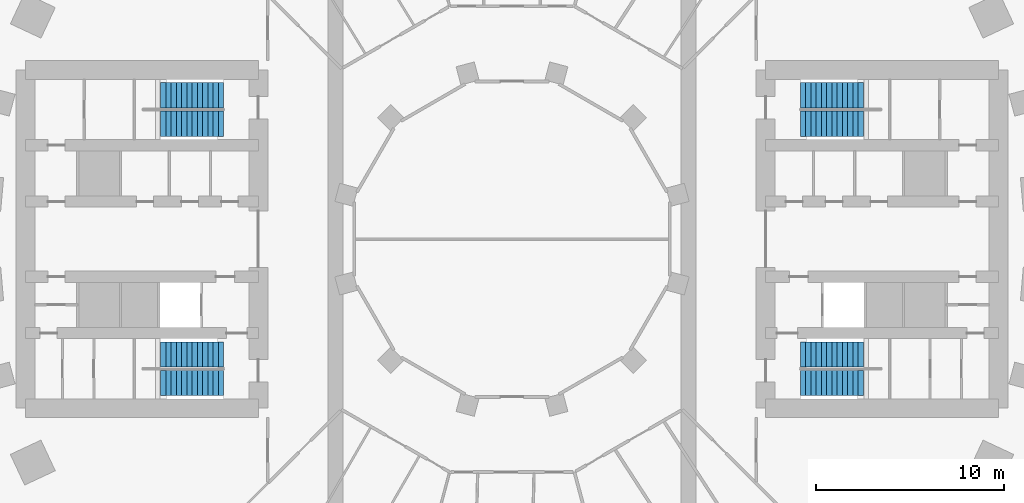
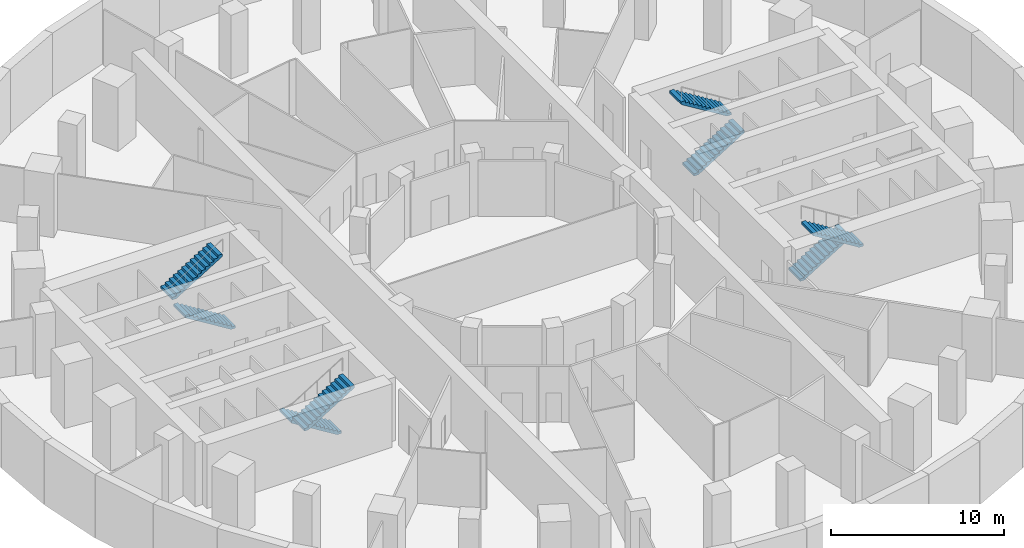
# One storey, part 7 of 8: 8 stair flights, 4 elements without a shape of their own.
"""IFC4 building model written with IfcOpenShell, lengths in metres."""

from ifc_helpers import new_model, si_unit, direction, frame, origin, place, context, subcontext, project, spatial, polyline, outline, extrude, material, type_object, element, aggregate, save


model = new_model("IFC4")

# Units and contexts
model_context = context("Model", 3, precision=1e-05, world=origin(), true_north=direction((0.0, 1.0)))
body_context = subcontext(model_context, "Body", "Model", "MODEL_VIEW")
ifc_project = project(units=[si_unit("LENGTHUNIT", "METRE"), si_unit("AREAUNIT", "SQUARE_METRE"), si_unit("VOLUMEUNIT", "CUBIC_METRE"), si_unit("PLANEANGLEUNIT", "RADIAN"), si_unit("MASSUNIT", "GRAM", prefix="KILO")], contexts=[model_context])

# Site, building, storey
site_placement = place(None, origin())
site = spatial("IfcSite", under=ifc_project, at=site_placement, CompositionType="ELEMENT")
building_placement = place(site_placement, origin())
building = spatial("IfcBuilding", under=site, at=building_placement, Name="Saqina Gate Tower", CompositionType="ELEMENT")
storey_placement = place(building_placement, frame((0.0, 0.0, -4.5)))
storey = spatial("IfcBuildingStorey", under=building, at=storey_placement, Name="B1", CompositionType="ELEMENT", Elevation=-4.5)

# Stair, stair flights
ifc_material_1 = material(Name="Concrete C40/50", Category="concrete")
stair_type = type_object("IfcStairType", Name="EXIT STAIR", PredefinedType="HALF_TURN_STAIR", material=ifc_material_1)
stair_1_placement = place(storey_placement, origin())
stair_1 = element("IfcStair", 1, at=stair_1_placement, inside=storey, type_object=stair_type, Name="EXIT STAIR 1", PredefinedType="HALF_TURN_STAIR")
ifc_material_2 = material(Name="Concrete C40/50", Category="concrete")
stair_flight_type = type_object("IfcStairFlightType", Name="EXIT STAIR FLIGHT", PredefinedType="STRAIGHT", material=ifc_material_2)
stair_flight_1_placement = place(storey_placement, frame((15.35009765625, 6.1416015625, 0.0), z_axis=(0.0, 0.0, 1.0), x_axis=(1.0, 0.0, 0.0)))
stair_flight_1 = element("IfcStairFlight", 2, at=stair_flight_1_placement, type_object=stair_flight_type, Name="EXIT STAIR 1 FLIGHT 1", NumberOfRisers=13, NumberOfTreads=12, PredefinedType="STRAIGHT", RiserHeight=0.173076923, TreadLength=0.28, context=body_context, shape_type="SweptSolid", body=[
    extrude(outline(polyline([(0.0, 0.0), (0.0, 0.173095703125), (0.280029296875, 0.173095703125), (0.280029296875, 0.34619140625), (0.56005859375, 0.34619140625), (0.56005859375, 0.519287109375), (0.840087890625, 0.519287109375), (0.840087890625, 0.6923828125), (1.1201171875, 0.6923828125), (1.1201171875, 0.865478515625), (1.39990234375, 0.865478515625), (1.39990234375, 1.03857421875), (1.679931640625, 1.03857421875), (1.679931640625, 1.21142578125), (1.9599609375, 1.21142578125), (1.9599609375, 1.384521484375), (2.239990234375, 1.384521484375), (2.239990234375, 1.5576171875), (2.52001953125, 1.5576171875), (2.52001953125, 1.730712890625), (2.800048828125, 1.730712890625), (2.800048828125, 1.90380859375), (3.080078125, 1.90380859375), (3.080078125, 2.076904296875), (3.360107421875, 2.076904296875), (3.360107421875, 2.25), (3.360107421875, 1.900634765625), (0.28515625, 0.0), (0.0, 0.0)])), frame((0.0, 0.675048828125, 0.0), z_axis=(0.0, -1.0, 0.0), x_axis=(1.0, 0.0, 0.0)), (0.0, 0.0, 1.0), 1.35009765625),
])
stair_flight_2_placement = place(storey_placement, frame((18.7099609375, 7.658447265625, 2.25), z_axis=(0.0, 0.0, 1.0), x_axis=(-1.0, 0.0, 0.0)))
stair_flight_2 = element("IfcStairFlight", 3, at=stair_flight_2_placement, type_object=stair_flight_type, Name="EXIT STAIR 1 FLIGHT 2", NumberOfRisers=13, NumberOfTreads=12, PredefinedType="STRAIGHT", RiserHeight=0.173076923, TreadLength=0.28, context=body_context, shape_type="SweptSolid", body=[
    extrude(outline(polyline([(0.0, 0.0), (0.0, 0.173095703125), (0.280029296875, 0.173095703125), (0.280029296875, 0.34619140625), (0.56005859375, 0.34619140625), (0.56005859375, 0.519287109375), (0.840087890625, 0.519287109375), (0.840087890625, 0.6923828125), (1.1201171875, 0.6923828125), (1.1201171875, 0.865478515625), (1.39990234375, 0.865478515625), (1.39990234375, 1.03857421875), (1.679931640625, 1.03857421875), (1.679931640625, 1.21142578125), (1.9599609375, 1.21142578125), (1.9599609375, 1.384521484375), (2.239990234375, 1.384521484375), (2.239990234375, 1.5576171875), (2.52001953125, 1.5576171875), (2.52001953125, 1.730712890625), (2.800048828125, 1.730712890625), (2.800048828125, 1.90380859375), (3.080078125, 1.90380859375), (3.080078125, 2.076904296875), (3.360107421875, 2.076904296875), (3.360107421875, 2.25), (3.360107421875, 1.900634765625), (0.28515625, 0.0), (0.0, 0.0)])), frame((0.0, 0.675048828125, 0.0), z_axis=(0.0, -1.0, 0.0), x_axis=(1.0, 0.0, 0.0)), (0.0, 0.0, 1.0), 1.35009765625),
])
aggregate(stair_1, [stair_flight_1, stair_flight_2])

stair_2_placement = place(storey_placement, origin())
stair_2 = element("IfcStair", 4, at=stair_2_placement, inside=storey, type_object=stair_type, Name="EXIT STAIR 2", PredefinedType="HALF_TURN_STAIR")
stair_flight_3_placement = place(storey_placement, frame((15.35009765625, -6.1416015625, 0.0), z_axis=(0.0, 0.0, 1.0), x_axis=(1.0, 0.0, 0.0)))
stair_flight_3 = element("IfcStairFlight", 5, at=stair_flight_3_placement, type_object=stair_flight_type, Name="EXIT STAIR 2 FLIGHT 1", NumberOfRisers=13, NumberOfTreads=12, PredefinedType="STRAIGHT", RiserHeight=0.173076923, TreadLength=0.28, context=body_context, shape_type="SweptSolid", body=[
    extrude(outline(polyline([(0.0, 0.0), (0.0, 0.173095703125), (0.280029296875, 0.173095703125), (0.280029296875, 0.34619140625), (0.56005859375, 0.34619140625), (0.56005859375, 0.519287109375), (0.840087890625, 0.519287109375), (0.840087890625, 0.6923828125), (1.1201171875, 0.6923828125), (1.1201171875, 0.865478515625), (1.39990234375, 0.865478515625), (1.39990234375, 1.03857421875), (1.679931640625, 1.03857421875), (1.679931640625, 1.21142578125), (1.9599609375, 1.21142578125), (1.9599609375, 1.384521484375), (2.239990234375, 1.384521484375), (2.239990234375, 1.5576171875), (2.52001953125, 1.5576171875), (2.52001953125, 1.730712890625), (2.800048828125, 1.730712890625), (2.800048828125, 1.90380859375), (3.080078125, 1.90380859375), (3.080078125, 2.076904296875), (3.360107421875, 2.076904296875), (3.360107421875, 2.25), (3.360107421875, 1.900634765625), (0.28515625, 0.0), (0.0, 0.0)])), frame((0.0, 0.675048828125, 0.0), z_axis=(0.0, -1.0, 0.0), x_axis=(1.0, 0.0, 0.0)), (0.0, 0.0, 1.0), 1.35009765625),
])
stair_flight_4_placement = place(storey_placement, frame((18.7099609375, -7.658447265625, 2.25), z_axis=(0.0, 0.0, 1.0), x_axis=(-1.0, 0.0, 0.0)))
stair_flight_4 = element("IfcStairFlight", 6, at=stair_flight_4_placement, type_object=stair_flight_type, Name="EXIT STAIR 2 FLIGHT 2", NumberOfRisers=13, NumberOfTreads=12, PredefinedType="STRAIGHT", RiserHeight=0.173076923, TreadLength=0.28, context=body_context, shape_type="SweptSolid", body=[
    extrude(outline(polyline([(0.0, 0.0), (0.0, 0.173095703125), (0.280029296875, 0.173095703125), (0.280029296875, 0.34619140625), (0.56005859375, 0.34619140625), (0.56005859375, 0.519287109375), (0.840087890625, 0.519287109375), (0.840087890625, 0.6923828125), (1.1201171875, 0.6923828125), (1.1201171875, 0.865478515625), (1.39990234375, 0.865478515625), (1.39990234375, 1.03857421875), (1.679931640625, 1.03857421875), (1.679931640625, 1.21142578125), (1.9599609375, 1.21142578125), (1.9599609375, 1.384521484375), (2.239990234375, 1.384521484375), (2.239990234375, 1.5576171875), (2.52001953125, 1.5576171875), (2.52001953125, 1.730712890625), (2.800048828125, 1.730712890625), (2.800048828125, 1.90380859375), (3.080078125, 1.90380859375), (3.080078125, 2.076904296875), (3.360107421875, 2.076904296875), (3.360107421875, 2.25), (3.360107421875, 1.900634765625), (0.28515625, 0.0), (0.0, 0.0)])), frame((0.0, 0.675048828125, 0.0), z_axis=(0.0, -1.0, 0.0), x_axis=(1.0, 0.0, 0.0)), (0.0, 0.0, 1.0), 1.35009765625),
])
aggregate(stair_2, [stair_flight_3, stair_flight_4])

stair_3_placement = place(storey_placement, origin())
stair_3 = element("IfcStair", 7, at=stair_3_placement, inside=storey, type_object=stair_type, Name="EXIT STAIR 3", PredefinedType="HALF_TURN_STAIR")
stair_flight_5_placement = place(storey_placement, frame((-15.35009765625, 6.1416015625, 0.0), z_axis=(0.0, 0.0, 1.0), x_axis=(-1.0, 0.0, 0.0)))
stair_flight_5 = element("IfcStairFlight", 8, at=stair_flight_5_placement, type_object=stair_flight_type, Name="EXIT STAIR 3 FLIGHT 1", NumberOfRisers=13, NumberOfTreads=12, PredefinedType="STRAIGHT", RiserHeight=0.173076923, TreadLength=0.28, context=body_context, shape_type="SweptSolid", body=[
    extrude(outline(polyline([(0.0, 0.0), (0.0, 0.173095703125), (0.280029296875, 0.173095703125), (0.280029296875, 0.34619140625), (0.56005859375, 0.34619140625), (0.56005859375, 0.519287109375), (0.840087890625, 0.519287109375), (0.840087890625, 0.6923828125), (1.1201171875, 0.6923828125), (1.1201171875, 0.865478515625), (1.39990234375, 0.865478515625), (1.39990234375, 1.03857421875), (1.679931640625, 1.03857421875), (1.679931640625, 1.21142578125), (1.9599609375, 1.21142578125), (1.9599609375, 1.384521484375), (2.239990234375, 1.384521484375), (2.239990234375, 1.5576171875), (2.52001953125, 1.5576171875), (2.52001953125, 1.730712890625), (2.800048828125, 1.730712890625), (2.800048828125, 1.90380859375), (3.080078125, 1.90380859375), (3.080078125, 2.076904296875), (3.360107421875, 2.076904296875), (3.360107421875, 2.25), (3.360107421875, 1.900634765625), (0.28515625, 0.0), (0.0, 0.0)])), frame((0.0, 0.675048828125, 0.0), z_axis=(0.0, -1.0, 0.0), x_axis=(1.0, 0.0, 0.0)), (0.0, 0.0, 1.0), 1.35009765625),
])
stair_flight_6_placement = place(storey_placement, frame((-18.7099609375, 7.658447265625, 2.25), z_axis=(0.0, 0.0, 1.0), x_axis=(1.0, 0.0, 0.0)))
stair_flight_6 = element("IfcStairFlight", 9, at=stair_flight_6_placement, type_object=stair_flight_type, Name="EXIT STAIR 3 FLIGHT 2", NumberOfRisers=13, NumberOfTreads=12, PredefinedType="STRAIGHT", RiserHeight=0.173076923, TreadLength=0.28, context=body_context, shape_type="SweptSolid", body=[
    extrude(outline(polyline([(0.0, 0.0), (0.0, 0.173095703125), (0.280029296875, 0.173095703125), (0.280029296875, 0.34619140625), (0.56005859375, 0.34619140625), (0.56005859375, 0.519287109375), (0.840087890625, 0.519287109375), (0.840087890625, 0.6923828125), (1.1201171875, 0.6923828125), (1.1201171875, 0.865478515625), (1.39990234375, 0.865478515625), (1.39990234375, 1.03857421875), (1.679931640625, 1.03857421875), (1.679931640625, 1.21142578125), (1.9599609375, 1.21142578125), (1.9599609375, 1.384521484375), (2.239990234375, 1.384521484375), (2.239990234375, 1.5576171875), (2.52001953125, 1.5576171875), (2.52001953125, 1.730712890625), (2.800048828125, 1.730712890625), (2.800048828125, 1.90380859375), (3.080078125, 1.90380859375), (3.080078125, 2.076904296875), (3.360107421875, 2.076904296875), (3.360107421875, 2.25), (3.360107421875, 1.900634765625), (0.28515625, 0.0), (0.0, 0.0)])), frame((0.0, 0.675048828125, 0.0), z_axis=(0.0, -1.0, 0.0), x_axis=(1.0, 0.0, 0.0)), (0.0, 0.0, 1.0), 1.35009765625),
])
aggregate(stair_3, [stair_flight_5, stair_flight_6])

stair_4_placement = place(storey_placement, origin())
stair_4 = element("IfcStair", 10, at=stair_4_placement, inside=storey, type_object=stair_type, Name="EXIT STAIR 4", PredefinedType="HALF_TURN_STAIR")
stair_flight_7_placement = place(storey_placement, frame((-15.35009765625, -6.1416015625, 0.0), z_axis=(0.0, 0.0, 1.0), x_axis=(-1.0, 0.0, 0.0)))
stair_flight_7 = element("IfcStairFlight", 11, at=stair_flight_7_placement, type_object=stair_flight_type, Name="EXIT STAIR 4 FLIGHT 1", NumberOfRisers=13, NumberOfTreads=12, PredefinedType="STRAIGHT", RiserHeight=0.173076923, TreadLength=0.28, context=body_context, shape_type="SweptSolid", body=[
    extrude(outline(polyline([(0.0, 0.0), (0.0, 0.173095703125), (0.280029296875, 0.173095703125), (0.280029296875, 0.34619140625), (0.56005859375, 0.34619140625), (0.56005859375, 0.519287109375), (0.840087890625, 0.519287109375), (0.840087890625, 0.6923828125), (1.1201171875, 0.6923828125), (1.1201171875, 0.865478515625), (1.39990234375, 0.865478515625), (1.39990234375, 1.03857421875), (1.679931640625, 1.03857421875), (1.679931640625, 1.21142578125), (1.9599609375, 1.21142578125), (1.9599609375, 1.384521484375), (2.239990234375, 1.384521484375), (2.239990234375, 1.5576171875), (2.52001953125, 1.5576171875), (2.52001953125, 1.730712890625), (2.800048828125, 1.730712890625), (2.800048828125, 1.90380859375), (3.080078125, 1.90380859375), (3.080078125, 2.076904296875), (3.360107421875, 2.076904296875), (3.360107421875, 2.25), (3.360107421875, 1.900634765625), (0.28515625, 0.0), (0.0, 0.0)])), frame((0.0, 0.675048828125, 0.0), z_axis=(0.0, -1.0, 0.0), x_axis=(1.0, 0.0, 0.0)), (0.0, 0.0, 1.0), 1.35009765625),
])
stair_flight_8_placement = place(storey_placement, frame((-18.7099609375, -7.658447265625, 2.25), z_axis=(0.0, 0.0, 1.0), x_axis=(1.0, 0.0, 0.0)))
stair_flight_8 = element("IfcStairFlight", 12, at=stair_flight_8_placement, type_object=stair_flight_type, Name="EXIT STAIR 4 FLIGHT 2", NumberOfRisers=13, NumberOfTreads=12, PredefinedType="STRAIGHT", RiserHeight=0.173076923, TreadLength=0.28, context=body_context, shape_type="SweptSolid", body=[
    extrude(outline(polyline([(0.0, 0.0), (0.0, 0.173095703125), (0.280029296875, 0.173095703125), (0.280029296875, 0.34619140625), (0.56005859375, 0.34619140625), (0.56005859375, 0.519287109375), (0.840087890625, 0.519287109375), (0.840087890625, 0.6923828125), (1.1201171875, 0.6923828125), (1.1201171875, 0.865478515625), (1.39990234375, 0.865478515625), (1.39990234375, 1.03857421875), (1.679931640625, 1.03857421875), (1.679931640625, 1.21142578125), (1.9599609375, 1.21142578125), (1.9599609375, 1.384521484375), (2.239990234375, 1.384521484375), (2.239990234375, 1.5576171875), (2.52001953125, 1.5576171875), (2.52001953125, 1.730712890625), (2.800048828125, 1.730712890625), (2.800048828125, 1.90380859375), (3.080078125, 1.90380859375), (3.080078125, 2.076904296875), (3.360107421875, 2.076904296875), (3.360107421875, 2.25), (3.360107421875, 1.900634765625), (0.28515625, 0.0), (0.0, 0.0)])), frame((0.0, 0.675048828125, 0.0), z_axis=(0.0, -1.0, 0.0), x_axis=(1.0, 0.0, 0.0)), (0.0, 0.0, 1.0), 1.35009765625),
])
aggregate(stair_4, [stair_flight_7, stair_flight_8])

save(model, "model.ifc")
